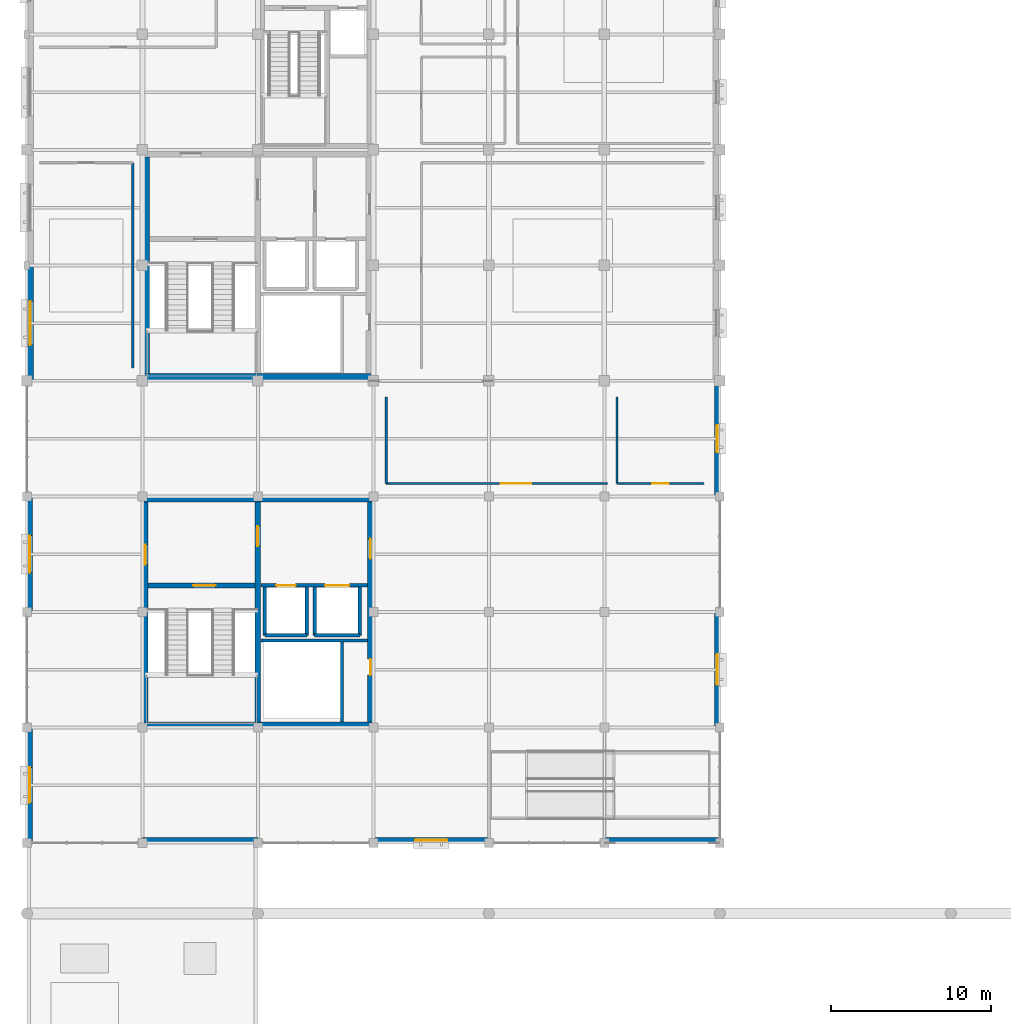
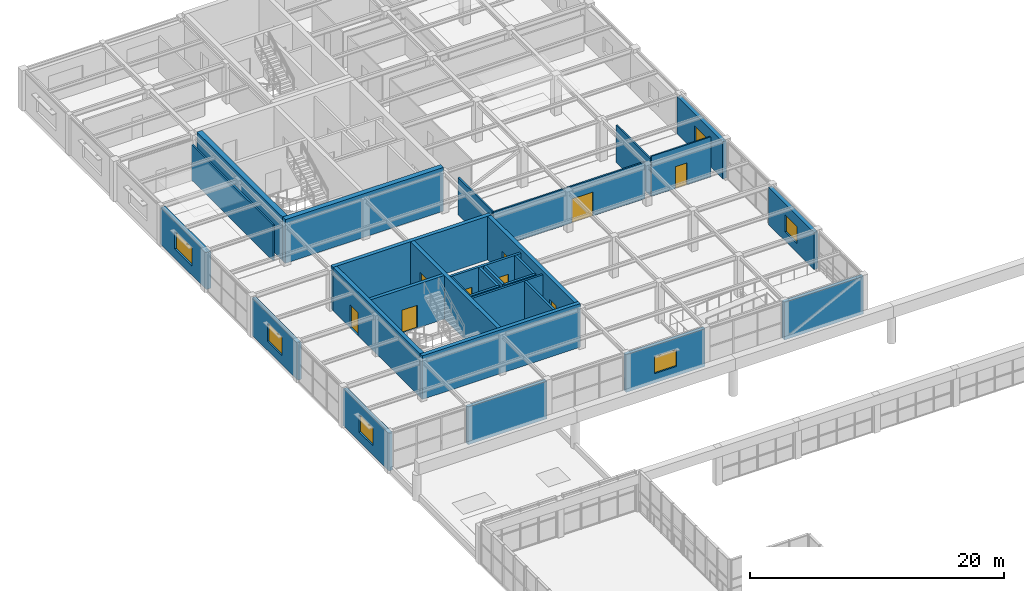
# One storey, part 65 of 83: 30 walls, 9 doors, 6 windows, 15 openings.
"""IFC4 building model written with IfcOpenShell, lengths in metres."""

from ifc_helpers import new_model, si_unit, direction, frame, frame_2d, origin, place, context, subcontext, project, spatial, rectangle, extrude, material, layer, layer_set, type_object, element, fill, save


model = new_model("IFC4")

# Units and contexts
model_context = context("Model", 3, precision=1e-05, world=origin(), true_north=direction((0.0, 1.0)))
body_context = subcontext(model_context, "Body", "Model", "MODEL_VIEW")
ifc_project = project(units=[si_unit("LENGTHUNIT", "METRE"), si_unit("AREAUNIT", "SQUARE_METRE"), si_unit("VOLUMEUNIT", "CUBIC_METRE"), si_unit("PLANEANGLEUNIT", "RADIAN"), si_unit("MASSUNIT", "GRAM", prefix="KILO")], contexts=[model_context])

# Site, building, storey
site_placement = place(None, origin())
site = spatial("IfcSite", under=ifc_project, at=site_placement, CompositionType="ELEMENT")
building_placement = place(site_placement, origin())
building = spatial("IfcBuilding", under=site, at=building_placement, Name="Leyfeld Transit Interchange", CompositionType="ELEMENT")
storey_placement = place(building_placement, frame((0.0, 0.0, 5.39990234375)))
storey = spatial("IfcBuildingStorey", under=building, at=storey_placement, Name="L01", CompositionType="ELEMENT", Elevation=5.39990234375)

# Wall, opening, window
ifc_material_1 = material(Name="Clinker brick masonry - Insulated", Category="masonry")
ifc_layer_1 = layer(ifc_material_1, 0.340087890625, Name="Clinker brick masonry - Insulated")
ifc_layer_set_1 = layer_set([ifc_layer_1], Name="Clinker brick masonry - Insulated")
wall_type_1 = type_object("IfcWallType", Name="WL-EXT-BRK-340", PredefinedType="SOLIDWALL", material=ifc_layer_set_1)
wall_1_placement = place(storey_placement, frame((43.030029296875, 93.60009765625, 0.0), z_axis=(0.0, 0.0, 1.0), x_axis=(0.0, -1.0, 0.0)))
wall_1 = element("IfcWall", 1, at=wall_1_placement, inside=storey, type_object=wall_type_1, Name="External Facade Wall EW-L01-055", PredefinedType="SOLIDWALL", context=body_context, shape_type="SweptSolid", body=[
    extrude(rectangle(XDim=7.2001953125, YDim=0.340087890625, at=frame_2d((3.60009765625, 0.0))), origin(), (0.0, 0.0, 1.0), 3.590087890625),
])
opening_1_placement = place(wall_1_placement, frame((2.75, 0.0, 0.89990234375)))
opening_1 = element("IfcOpeningElement", 2, at=opening_1_placement, cuts=wall_1, Name="Opening WM-04", PredefinedType="OPENING", context=body_context, shape_type="SweptSolid", body=[
    extrude(rectangle(XDim=1.699951171875, YDim=1.550048828125, at=frame_2d((0.85009765625, 0.77490234375))), frame((0.0, 0.179931640625, 0.0), z_axis=(0.0, -1.0, 0.0), x_axis=(1.0, 0.0, 0.0)), (0.0, 0.0, 1.0), 0.360107421875),
])
ifc_material_2 = material(Name="Triple low-E insulated glazing", Category="glass")
window_type_1 = type_object("IfcWindowType", Name="WIN-MOD-04", PartitioningType="SINGLE_PANEL", PredefinedType="WINDOW", material=ifc_material_2)
window_1_placement = place(opening_1_placement, origin())
window_1 = element("IfcWindow", 3, at=window_1_placement, inside=storey, type_object=window_type_1, Name="Facade Window L01 029", OverallHeight=1.550048828125, OverallWidth=1.699951171875, PartitioningType="SINGLE_PANEL", PredefinedType="WINDOW", context=body_context, shape_type="SweptSolid", body=[
    extrude(rectangle(XDim=1.699951171875, YDim=1.550048828125, at=frame_2d((0.85009765625, 0.77490234375))), frame((0.0, 0.030029296875, 0.0), z_axis=(0.0, -1.0, 0.0), x_axis=(1.0, 0.0, 0.0)), (0.0, 0.0, 1.0), 0.06005859375),
])
fill(opening_1, window_1)

wall_2_placement = place(storey_placement, frame((43.030029296875, 79.199951171875, 0.0), z_axis=(0.0, 0.0, 1.0), x_axis=(0.0, -1.0, 0.0)))
wall_2 = element("IfcWall", 4, at=wall_2_placement, inside=storey, type_object=wall_type_1, Name="External Facade Wall EW-L01-056", PredefinedType="SOLIDWALL", context=body_context, shape_type="SweptSolid", body=[
    extrude(rectangle(XDim=7.199951171875, YDim=0.340087890625, at=frame_2d((3.60009765625, 0.0))), origin(), (0.0, 0.0, 1.0), 3.590087890625),
])
opening_2_placement = place(wall_2_placement, frame((2.64990234375, 0.0, 0.89990234375)))
opening_2 = element("IfcOpeningElement", 5, at=opening_2_placement, cuts=wall_2, Name="Opening WM-05", PredefinedType="OPENING", context=body_context, shape_type="SweptSolid", body=[
    extrude(rectangle(XDim=1.89990234375, YDim=1.60009765625, at=frame_2d((0.949951171875, 0.800048828125))), frame((0.0, 0.179931640625, 0.0), z_axis=(0.0, -1.0, 0.0), x_axis=(1.0, 0.0, 0.0)), (0.0, 0.0, 1.0), 0.360107421875),
])
window_type_2 = type_object("IfcWindowType", Name="WIN-MOD-05", PartitioningType="SINGLE_PANEL", PredefinedType="WINDOW", material=ifc_material_2)
window_2_placement = place(opening_2_placement, origin())
window_2 = element("IfcWindow", 6, at=window_2_placement, inside=storey, type_object=window_type_2, Name="Facade Window L01 030", OverallHeight=1.60009765625, OverallWidth=1.89990234375, PartitioningType="SINGLE_PANEL", PredefinedType="WINDOW", context=body_context, shape_type="SweptSolid", body=[
    extrude(rectangle(XDim=1.89990234375, YDim=1.60009765625, at=frame_2d((0.949951171875, 0.800048828125))), frame((0.0, 0.030029296875, 0.0), z_axis=(0.0, -1.0, 0.0), x_axis=(1.0, 0.0, 0.0)), (0.0, 0.0, 1.0), 0.06005859375),
])
fill(opening_2, window_2)

# Wall
wall_3_placement = place(storey_placement, frame((43.199951171875, 64.969970703125, 0.0), z_axis=(0.0, 0.0, 1.0), x_axis=(-1.0, 0.0, 0.0)))
element("IfcWall", 7, at=wall_3_placement, inside=storey, type_object=wall_type_1, Name="External Facade Wall EW-L01-057", PredefinedType="SOLIDWALL", context=body_context, shape_type="SweptSolid", body=[
    extrude(rectangle(XDim=7.199951171875, YDim=0.340087890625, at=frame_2d((3.60009765625, 0.0))), origin(), (0.0, 0.0, 1.0), 3.6201171875),
])

# Wall, opening, window
wall_4_placement = place(storey_placement, frame((28.800048828125, 64.969970703125, 0.0), z_axis=(0.0, 0.0, 1.0), x_axis=(-1.0, 0.0, 0.0)))
wall_4 = element("IfcWall", 8, at=wall_4_placement, inside=storey, type_object=wall_type_1, Name="External Facade Wall EW-L01-058", PredefinedType="SOLIDWALL", context=body_context, shape_type="SweptSolid", body=[
    extrude(rectangle(XDim=7.199951171875, YDim=0.340087890625, at=frame_2d((3.60009765625, 0.0))), origin(), (0.0, 0.0, 1.0), 3.6201171875),
])
opening_3_placement = place(wall_4_placement, frame((2.60009765625, 0.0, 0.89990234375)))
opening_3 = element("IfcOpeningElement", 9, at=opening_3_placement, cuts=wall_4, Name="Opening WM-06", PredefinedType="OPENING", context=body_context, shape_type="SweptSolid", body=[
    extrude(rectangle(XDim=2.0, YDim=1.64990234375, at=frame_2d((1.0, 0.824951171875))), frame((0.0, 0.179931640625, 0.0), z_axis=(0.0, -1.0, 0.0), x_axis=(1.0, 0.0, 0.0)), (0.0, 0.0, 1.0), 0.360107421875),
])
window_type_3 = type_object("IfcWindowType", Name="WIN-MOD-06", PartitioningType="SINGLE_PANEL", PredefinedType="WINDOW", material=ifc_material_2)
window_3_placement = place(opening_3_placement, origin())
window_3 = element("IfcWindow", 10, at=window_3_placement, inside=storey, type_object=window_type_3, Name="Facade Window L01 031", OverallHeight=1.64990234375, OverallWidth=2.0, PartitioningType="SINGLE_PANEL", PredefinedType="WINDOW", context=body_context, shape_type="SweptSolid", body=[
    extrude(rectangle(XDim=2.0, YDim=1.64990234375, at=frame_2d((1.0, 0.824951171875))), frame((0.0, 0.030029296875, 0.0), z_axis=(0.0, -1.0, 0.0), x_axis=(1.0, 0.0, 0.0)), (0.0, 0.0, 1.0), 0.06005859375),
])
fill(opening_3, window_3)

# Wall
wall_5_placement = place(storey_placement, frame((14.39990234375, 64.969970703125, 0.0), z_axis=(0.0, 0.0, 1.0), x_axis=(-1.0, 0.0, 0.0)))
element("IfcWall", 11, at=wall_5_placement, inside=storey, type_object=wall_type_1, Name="External Facade Wall EW-L01-059", PredefinedType="SOLIDWALL", context=body_context, shape_type="SweptSolid", body=[
    extrude(rectangle(XDim=7.199951171875, YDim=0.340087890625, at=frame_2d((3.60009765625, 0.0))), origin(), (0.0, 0.0, 1.0), 3.6201171875),
])

# Wall, opening, window
wall_6_placement = place(storey_placement, frame((0.169921875, 64.800048828125, 0.0), z_axis=(0.0, 0.0, 1.0), x_axis=(0.0, 1.0, 0.0)))
wall_6 = element("IfcWall", 12, at=wall_6_placement, inside=storey, type_object=wall_type_1, Name="External Facade Wall EW-L01-060", PredefinedType="SOLIDWALL", context=body_context, shape_type="SweptSolid", body=[
    extrude(rectangle(XDim=7.199951171875, YDim=0.340087890625, at=frame_2d((3.60009765625, 0.0))), origin(), (0.0, 0.0, 1.0), 3.590087890625),
])
opening_4_placement = place(wall_6_placement, frame((2.5, 0.0, 0.89990234375)))
opening_4 = element("IfcOpeningElement", 13, at=opening_4_placement, cuts=wall_6, Name="Opening WM-07", PredefinedType="OPENING", context=body_context, shape_type="SweptSolid", body=[
    extrude(rectangle(XDim=2.199951171875, YDim=1.699951171875, at=frame_2d((1.10009765625, 0.85009765625))), frame((0.0, 0.179931640625, 0.0), z_axis=(0.0, -1.0, 0.0), x_axis=(1.0, 0.0, 0.0)), (0.0, 0.0, 1.0), 0.360107421875),
])
window_type_4 = type_object("IfcWindowType", Name="WIN-MOD-07", PartitioningType="SINGLE_PANEL", PredefinedType="WINDOW", material=ifc_material_2)
window_4_placement = place(opening_4_placement, origin())
window_4 = element("IfcWindow", 14, at=window_4_placement, inside=storey, type_object=window_type_4, Name="Facade Window L01 032", OverallHeight=1.699951171875, OverallWidth=2.199951171875, PartitioningType="SINGLE_PANEL", PredefinedType="WINDOW", context=body_context, shape_type="SweptSolid", body=[
    extrude(rectangle(XDim=2.199951171875, YDim=1.699951171875, at=frame_2d((1.10009765625, 0.85009765625))), frame((0.0, 0.030029296875, 0.0), z_axis=(0.0, -1.0, 0.0), x_axis=(1.0, 0.0, 0.0)), (0.0, 0.0, 1.0), 0.06005859375),
])
fill(opening_4, window_4)

wall_7_placement = place(storey_placement, frame((0.169921875, 79.199951171875, 0.0), z_axis=(0.0, 0.0, 1.0), x_axis=(0.0, 1.0, 0.0)))
wall_7 = element("IfcWall", 15, at=wall_7_placement, inside=storey, type_object=wall_type_1, Name="External Facade Wall EW-L01-061", PredefinedType="SOLIDWALL", context=body_context, shape_type="SweptSolid", body=[
    extrude(rectangle(XDim=7.199951171875, YDim=0.340087890625, at=frame_2d((3.60009765625, 0.0))), origin(), (0.0, 0.0, 1.0), 3.590087890625),
])
opening_5_placement = place(wall_7_placement, frame((2.449951171875, 0.0, 0.89990234375)))
opening_5 = element("IfcOpeningElement", 16, at=opening_5_placement, cuts=wall_7, Name="Opening WM-08", PredefinedType="OPENING", context=body_context, shape_type="SweptSolid", body=[
    extrude(rectangle(XDim=2.300048828125, YDim=1.75, at=frame_2d((1.14990234375, 0.875))), frame((0.0, 0.179931640625, 0.0), z_axis=(0.0, -1.0, 0.0), x_axis=(1.0, 0.0, 0.0)), (0.0, 0.0, 1.0), 0.360107421875),
])
window_type_5 = type_object("IfcWindowType", Name="WIN-MOD-08", PartitioningType="SINGLE_PANEL", PredefinedType="WINDOW", material=ifc_material_2)
window_5_placement = place(opening_5_placement, origin())
window_5 = element("IfcWindow", 17, at=window_5_placement, inside=storey, type_object=window_type_5, Name="Facade Window L01 033", OverallHeight=1.75, OverallWidth=2.300048828125, PartitioningType="SINGLE_PANEL", PredefinedType="WINDOW", context=body_context, shape_type="SweptSolid", body=[
    extrude(rectangle(XDim=2.300048828125, YDim=1.75, at=frame_2d((1.14990234375, 0.875))), frame((0.0, 0.030029296875, 0.0), z_axis=(0.0, -1.0, 0.0), x_axis=(1.0, 0.0, 0.0)), (0.0, 0.0, 1.0), 0.06005859375),
])
fill(opening_5, window_5)

ifc_layer_2 = layer(ifc_material_1, 0.419921875, Name="Clinker brick masonry - Insulated")
ifc_layer_set_2 = layer_set([ifc_layer_2], Name="Clinker brick masonry - Insulated")
wall_type_2 = type_object("IfcWallType", Name="WL-EXT-BRK-420", PredefinedType="SOLIDWALL", material=ifc_layer_set_2)
wall_8_placement = place(storey_placement, frame((0.2099609375, 93.60009765625, 0.0), z_axis=(0.0, 0.0, 1.0), x_axis=(0.0, 1.0, 0.0)))
wall_8 = element("IfcWall", 18, at=wall_8_placement, inside=storey, type_object=wall_type_2, Name="External Facade Wall EW-L01-042", PredefinedType="SOLIDWALL", context=body_context, shape_type="SweptSolid", body=[
    extrude(rectangle(XDim=7.199951171875, YDim=0.419921875, at=frame_2d((3.60009765625, 0.0))), origin(), (0.0, 0.0, 1.0), 3.550048828125),
])
opening_6_placement = place(wall_8_placement, frame((2.22509765625, 0.0, 0.89990234375)))
opening_6 = element("IfcOpeningElement", 19, at=opening_6_placement, cuts=wall_8, Name="Opening WU-16", PredefinedType="OPENING", context=body_context, shape_type="SweptSolid", body=[
    extrude(rectangle(XDim=2.75, YDim=1.75, at=frame_2d((1.375, 0.875))), frame((0.0, 0.219970703125, 0.0), z_axis=(0.0, -1.0, 0.0), x_axis=(1.0, 0.0, 0.0)), (0.0, 0.0, 1.0), 0.43994140625),
])
window_type_6 = type_object("IfcWindowType", Name="WIN-UNQ-16", PartitioningType="SINGLE_PANEL", PredefinedType="WINDOW", material=ifc_material_2)
window_6_placement = place(opening_6_placement, origin())
window_6 = element("IfcWindow", 20, at=window_6_placement, inside=storey, type_object=window_type_6, Name="Facade Window L01 016", OverallHeight=1.75, OverallWidth=2.75, PartitioningType="SINGLE_PANEL", PredefinedType="WINDOW", context=body_context, shape_type="SweptSolid", body=[
    extrude(rectangle(XDim=2.75, YDim=1.75, at=frame_2d((1.375, 0.875))), frame((0.0, 0.030029296875, 0.0), z_axis=(0.0, -1.0, 0.0), x_axis=(1.0, 0.0, 0.0)), (0.0, 0.0, 1.0), 0.06005859375),
])
fill(opening_6, window_6)

# Walls
ifc_material_3 = material(Name="Calcium silicate masonry", Category="masonry")
ifc_layer_3 = layer(ifc_material_3, 0.18994140625, Name="Calcium silicate masonry")
ifc_layer_set_3 = layer_set([ifc_layer_3], Name="Calcium silicate masonry")
wall_type_3 = type_object("IfcWallType", Name="WL-INT-PLT-190", PredefinedType="PARTITIONING", material=ifc_layer_set_3)
wall_9_placement = place(storey_placement, frame((14.580078125, 77.419921875, 0.0), z_axis=(0.0, 0.0, 1.0), x_axis=(1.0, 0.0, 0.0)))
element("IfcWall", 21, at=wall_9_placement, inside=storey, type_object=wall_type_3, Name="Core K3 Riser Compartment Wall L01", PredefinedType="PARTITIONING", context=body_context, shape_type="SweptSolid", body=[
    extrude(rectangle(XDim=6.669921875, YDim=0.18994140625, at=frame_2d((3.3349609375, 0.0))), origin(), (0.0, 0.0, 1.0), 3.85009765625),
])
wall_10_placement = place(storey_placement, frame((19.64990234375, 72.35009765625, 0.0), z_axis=(0.0, 0.0, 1.0), x_axis=(0.0, 1.0, 0.0)))
element("IfcWall", 22, at=wall_10_placement, inside=storey, type_object=wall_type_3, Name="Core K3 Riser Shaft East Wall L01", PredefinedType="PARTITIONING", context=body_context, shape_type="SweptSolid", body=[
    extrude(rectangle(XDim=4.97998046875, YDim=0.18994140625, at=frame_2d((2.489990234375, 0.0))), origin(), (0.0, 0.0, 1.0), 3.85009765625),
])

# Wall, openings, doors
ifc_material_4 = material(Name="Concrete C35/45", Category="concrete")
ifc_layer_4 = layer(ifc_material_4, 0.219970703125, Name="Concrete C35/45")
ifc_layer_set_4 = layer_set([ifc_layer_4], Name="Concrete C35/45")
wall_type_4 = type_object("IfcWallType", Name="WL-INT-SHF-220", PredefinedType="PARTITIONING", material=ifc_layer_set_4)
wall_11_placement = place(storey_placement, frame((14.580078125, 80.85009765625, 0.0), z_axis=(0.0, 0.0, 1.0), x_axis=(1.0, 0.0, 0.0)))
wall_11 = element("IfcWall", 23, at=wall_11_placement, inside=storey, type_object=wall_type_4, Name="Core K3 Lift Shaft Front Wall L01", PredefinedType="PARTITIONING", context=body_context, shape_type="SweptSolid", body=[
    extrude(rectangle(XDim=6.669921875, YDim=0.219970703125, at=frame_2d((3.3349609375, 0.0))), origin(), (0.0, 0.0, 1.0), 3.85009765625),
])
opening_7_placement = place(wall_11_placement, frame((0.969970703125, 0.0, 0.0)))
opening_7 = element("IfcOpeningElement", 24, at=opening_7_placement, cuts=wall_11, Name="Opening LD-02", PredefinedType="OPENING", context=body_context, shape_type="SweptSolid", body=[
    extrude(rectangle(XDim=1.199951171875, YDim=2.14990234375, at=frame_2d((0.60009765625, 1.074951171875))), frame((0.0, 0.119873046875, 0.0), z_axis=(0.0, -1.0, 0.0), x_axis=(1.0, 0.0, 0.0)), (0.0, 0.0, 1.0), 0.239990234375),
])
opening_8_placement = place(wall_11_placement, frame((4.02001953125, 0.0, 0.0)))
opening_8 = element("IfcOpeningElement", 25, at=opening_8_placement, cuts=wall_11, Name="Opening LD-03", PredefinedType="OPENING", context=body_context, shape_type="SweptSolid", body=[
    extrude(rectangle(XDim=1.5, YDim=2.25, at=frame_2d((0.75, 1.125))), frame((0.0, 0.119873046875, 0.0), z_axis=(0.0, -1.0, 0.0), x_axis=(1.0, 0.0, 0.0)), (0.0, 0.0, 1.0), 0.239990234375),
])
ifc_material_5 = material(Name="Stainless steel EN 1.4404", Category="steel")
door_type_1 = type_object("IfcDoorType", Name="DR-LD-GDS-1500x2250", OperationType="NOTDEFINED", PredefinedType="DOOR", material=ifc_material_5)
door_1_placement = place(opening_8_placement, origin())
door_1 = element("IfcDoor", 26, at=door_1_placement, inside=storey, type_object=door_type_1, Name="LD-GL-1-L01", OperationType="DOUBLE_DOOR_SLIDING", OverallHeight=2.25, OverallWidth=1.5, PredefinedType="DOOR", context=body_context, shape_type="SweptSolid", body=[
    extrude(rectangle(XDim=1.5, YDim=2.25, at=frame_2d((0.75, 1.125))), frame((0.0, 0.02490234375, 0.0), z_axis=(0.0, -1.0, 0.0), x_axis=(1.0, 0.0, 0.0)), (0.0, 0.0, 1.0), 0.050048828125),
])
fill(opening_8, door_1)
door_type_2 = type_object("IfcDoorType", Name="DR-LD-PAS-1200x2150", OperationType="NOTDEFINED", PredefinedType="DOOR", material=ifc_material_5)
door_2_placement = place(opening_7_placement, origin())
door_2 = element("IfcDoor", 27, at=door_2_placement, inside=storey, type_object=door_type_2, Name="LD-PL-3-L01", OperationType="DOUBLE_DOOR_SLIDING", OverallHeight=2.14990234375, OverallWidth=1.199951171875, PredefinedType="DOOR", context=body_context, shape_type="SweptSolid", body=[
    extrude(rectangle(XDim=1.199951171875, YDim=2.14990234375, at=frame_2d((0.60009765625, 1.074951171875))), frame((0.0, 0.02490234375, 0.0), z_axis=(0.0, -1.0, 0.0), x_axis=(1.0, 0.0, 0.0)), (0.0, 0.0, 1.0), 0.050048828125),
])
fill(opening_7, door_2)

# Walls
wall_12_placement = place(storey_placement, frame((14.840087890625, 77.739990234375, 0.0), z_axis=(0.0, 0.0, 1.0), x_axis=(1.0, 0.0, 0.0)))
element("IfcWall", 28, at=wall_12_placement, inside=storey, type_object=wall_type_4, Name="Core K3 Lift PL-3 Shaft Back Wall L01", PredefinedType="PARTITIONING", context=body_context, shape_type="SweptSolid", body=[
    extrude(rectangle(XDim=2.619873046875, YDim=0.219970703125, at=frame_2d((1.31005859375, 0.0))), origin(), (0.0, 0.0, 1.0), 3.85009765625),
])
for number, where, z_axis, x_axis, name in (
    (29, (14.840087890625, 77.739990234375, 0.0), (0.0, 0.0, 1.0), (0.0, 1.0, 0.0), "Core K3 Lift PL-3 Shaft Wall W L01"),
    (30, (17.4599609375, 77.739990234375, 0.0), (0.0, 0.0, 1.0), (0.0, 1.0, 0.0), "Core K3 Lift PL-3 Shaft Wall E L01"),
):
    element("IfcWall", number, at=place(storey_placement, frame(where, z_axis=z_axis, x_axis=x_axis)), inside=storey, type_object=wall_type_4, Name=name, PredefinedType="PARTITIONING", context=body_context, shape_type="SweptSolid", body=[
        extrude(rectangle(XDim=3.0, YDim=0.219970703125, at=frame_2d((1.5, 0.0))), origin(), (0.0, 0.0, 1.0), 3.85009765625),
    ])
wall_13_placement = place(storey_placement, frame((17.93994140625, 77.739990234375, 0.0), z_axis=(0.0, 0.0, 1.0), x_axis=(1.0, 0.0, 0.0)))
element("IfcWall", 31, at=wall_13_placement, inside=storey, type_object=wall_type_4, Name="Core K3 Lift GL-1 Shaft Back Wall L01", PredefinedType="PARTITIONING", context=body_context, shape_type="SweptSolid", body=[
    extrude(rectangle(XDim=2.820068359375, YDim=0.219970703125, at=frame_2d((1.41015625, 0.0))), origin(), (0.0, 0.0, 1.0), 3.85009765625),
])
for number, where, z_axis, x_axis, name in (
    (32, (17.93994140625, 77.739990234375, 0.0), (0.0, 0.0, 1.0), (0.0, 1.0, 0.0), "Core K3 Lift GL-1 Shaft Wall W L01"),
    (33, (20.760009765625, 77.739990234375, 0.0), (0.0, 0.0, 1.0), (0.0, 1.0, 0.0), "Core K3 Lift GL-1 Shaft Wall E L01"),
):
    element("IfcWall", number, at=place(storey_placement, frame(where, z_axis=z_axis, x_axis=x_axis)), inside=storey, type_object=wall_type_4, Name=name, PredefinedType="PARTITIONING", context=body_context, shape_type="SweptSolid", body=[
        extrude(rectangle(XDim=3.0, YDim=0.219970703125, at=frame_2d((1.5, 0.0))), origin(), (0.0, 0.0, 1.0), 3.85009765625),
    ])

# Wall, opening, door
ifc_material_6 = material(Name="Gypsum plasterboard acoustic stud", Category="gypsum")
ifc_layer_5 = layer(ifc_material_6, 0.14501953125, Name="Gypsum plasterboard acoustic stud")
ifc_layer_set_5 = layer_set([ifc_layer_5], Name="Gypsum plasterboard acoustic stud")
wall_type_5 = type_object("IfcWallType", Name="WL-INT-STD-145", PredefinedType="PARTITIONING", material=ifc_layer_set_5)
wall_14_placement = place(storey_placement, frame((36.199951171875, 87.199951171875, 0.0), z_axis=(0.0, 0.0, 1.0), x_axis=(-1.0, 0.0, 0.0)))
wall_14 = element("IfcWall", 34, at=wall_14_placement, inside=storey, type_object=wall_type_5, Name="Interior Partition L01-LCK-01 S", PredefinedType="PARTITIONING", context=body_context, shape_type="SweptSolid", body=[
    extrude(rectangle(XDim=13.800048828125, YDim=0.14501953125, at=frame_2d((6.89990234375, 0.0))), origin(), (0.0, 0.0, 1.0), 3.52001953125),
])
opening_9_placement = place(wall_14_placement, frame((4.75, 0.0, 0.0)))
opening_9 = element("IfcOpeningElement", 35, at=opening_9_placement, cuts=wall_14, Name="Opening DV-09", PredefinedType="OPENING", context=body_context, shape_type="SweptSolid", body=[
    extrude(rectangle(XDim=1.89990234375, YDim=2.300048828125, at=frame_2d((0.949951171875, 1.14990234375))), frame((0.0, 0.08251953125, 0.0), z_axis=(0.0, -1.0, 0.0), x_axis=(1.0, 0.0, 0.0)), (0.0, 0.0, 1.0), 0.1650390625),
])
ifc_material_7 = material(Name="Austrian larch glulam GL28h", Category="wood")
door_type_3 = type_object("IfcDoorType", Name="DR-VAR-09", OperationType="NOTDEFINED", PredefinedType="DOOR", material=ifc_material_7)
door_3_placement = place(opening_9_placement, origin())
door_3 = element("IfcDoor", 36, at=door_3_placement, inside=storey, type_object=door_type_3, Name="DR-L01-LCK-01", OperationType="DOUBLE_DOOR_SINGLE_SWING", OverallHeight=2.300048828125, OverallWidth=1.89990234375, PredefinedType="DOOR", context=body_context, shape_type="SweptSolid", body=[
    extrude(rectangle(XDim=1.89990234375, YDim=2.300048828125, at=frame_2d((0.949951171875, 1.14990234375))), frame((0.0, 0.02490234375, 0.0), z_axis=(0.0, -1.0, 0.0), x_axis=(1.0, 0.0, 0.0)), (0.0, 0.0, 1.0), 0.050048828125),
])
fill(opening_9, door_3)

# Walls
wall_15_placement = place(storey_placement, frame((22.39990234375, 87.199951171875, 0.0), z_axis=(0.0, 0.0, 1.0), x_axis=(0.0, 1.0, 0.0)))
element("IfcWall", 37, at=wall_15_placement, inside=storey, type_object=wall_type_5, Name="Interior Partition L01-LCK-01 W", PredefinedType="PARTITIONING", context=body_context, shape_type="SweptSolid", body=[
    extrude(rectangle(XDim=5.400146484375, YDim=0.14501953125, at=frame_2d((2.7001953125, 0.0))), origin(), (0.0, 0.0, 1.0), 3.590087890625),
])
wall_16_placement = place(storey_placement, frame((6.60009765625, 107.199951171875, 0.0), z_axis=(0.0, 0.0, 1.0), x_axis=(0.0, -1.0, 0.0)))
element("IfcWall", 38, at=wall_16_placement, inside=storey, type_object=wall_type_5, Name="Interior Partition L01-RST-01 E", PredefinedType="PARTITIONING", context=body_context, shape_type="SweptSolid", body=[
    extrude(rectangle(XDim=12.800048828125, YDim=0.14501953125, at=frame_2d((6.39990234375, 0.0))), origin(), (0.0, 0.0, 1.0), 3.43017578125),
])

# Wall, opening, door
ifc_material_8 = material(Name="Autoclaved aerated blockwork G4", Category="masonry")
ifc_layer_6 = layer(ifc_material_8, 0.125, Name="Autoclaved aerated blockwork G4")
ifc_layer_set_6 = layer_set([ifc_layer_6], Name="Autoclaved aerated blockwork G4")
wall_type_6 = type_object("IfcWallType", Name="WL-INT-WC-125", PredefinedType="PARTITIONING", material=ifc_layer_set_6)
wall_17_placement = place(storey_placement, frame((42.199951171875, 87.199951171875, 0.0), z_axis=(0.0, 0.0, 1.0), x_axis=(-1.0, 0.0, 0.0)))
wall_17 = element("IfcWall", 39, at=wall_17_placement, inside=storey, type_object=wall_type_6, Name="Interior Partition L01-WCA-01 S", PredefinedType="PARTITIONING", context=body_context, shape_type="SweptSolid", body=[
    extrude(rectangle(XDim=5.39990234375, YDim=0.125, at=frame_2d((2.699951171875, 0.0))), origin(), (0.0, 0.0, 1.0), 3.85009765625),
])
opening_10_placement = place(wall_17_placement, frame((2.175048828125, 0.0, 0.0)))
opening_10 = element("IfcOpeningElement", 40, at=opening_10_placement, cuts=wall_17, Name="Opening DI-09", PredefinedType="OPENING", context=body_context, shape_type="SweptSolid", body=[
    extrude(rectangle(XDim=1.050048828125, YDim=2.10009765625, at=frame_2d((0.52490234375, 1.050048828125))), frame((0.0, 0.072509765625, 0.0), z_axis=(0.0, -1.0, 0.0), x_axis=(1.0, 0.0, 0.0)), (0.0, 0.0, 1.0), 0.14501953125),
])
door_type_4 = type_object("IfcDoorType", Name="DR-WCA-1050x2100", OperationType="NOTDEFINED", PredefinedType="DOOR", material=ifc_material_7)
door_4_placement = place(opening_10_placement, origin())
door_4 = element("IfcDoor", 41, at=door_4_placement, inside=storey, type_object=door_type_4, Name="DR-L01-WCA-01", OperationType="SINGLE_SWING_LEFT", OverallHeight=2.10009765625, OverallWidth=1.050048828125, PredefinedType="DOOR", context=body_context, shape_type="SweptSolid", body=[
    extrude(rectangle(XDim=1.050048828125, YDim=2.10009765625, at=frame_2d((0.52490234375, 1.050048828125))), frame((0.0, 0.02490234375, 0.0), z_axis=(0.0, -1.0, 0.0), x_axis=(1.0, 0.0, 0.0)), (0.0, 0.0, 1.0), 0.050048828125),
])
fill(opening_10, door_4)

# Wall
wall_18_placement = place(storey_placement, frame((36.800048828125, 87.199951171875, 0.0), z_axis=(0.0, 0.0, 1.0), x_axis=(0.0, 1.0, 0.0)))
element("IfcWall", 42, at=wall_18_placement, inside=storey, type_object=wall_type_6, Name="Interior Partition L01-WCA-01 W", PredefinedType="PARTITIONING", context=body_context, shape_type="SweptSolid", body=[
    extrude(rectangle(XDim=5.400146484375, YDim=0.125, at=frame_2d((2.7001953125, 0.0))), origin(), (0.0, 0.0, 1.0), 3.590087890625),
])

# Wall, opening, door
ifc_layer_7 = layer(ifc_material_4, 0.300048828125, Name="Concrete C35/45")
ifc_layer_set_7 = layer_set([ifc_layer_7], Name="Concrete C35/45")
wall_type_7 = type_object("IfcWallType", Name="WL-SH-300", PredefinedType="SHEAR", material=ifc_layer_set_7)
wall_19_placement = place(storey_placement, frame((7.550048828125, 80.85009765625, 0.0), z_axis=(0.0, 0.0, 1.0), x_axis=(1.0, 0.0, 0.0)))
wall_19 = element("IfcWall", 43, at=wall_19_placement, inside=storey, type_object=wall_type_7, Name="Core K3 Shear Wall STRN L01", PredefinedType="SHEAR", context=body_context, shape_type="SweptSolid", body=[
    extrude(rectangle(XDim=6.675048828125, YDim=0.300048828125, at=frame_2d((3.33740234375, 0.0))), origin(), (0.0, 0.0, 1.0), 4.2001953125),
])
opening_11_placement = place(wall_19_placement, frame((2.8125, 0.0, 0.0)))
opening_11 = element("IfcOpeningElement", 44, at=opening_11_placement, cuts=wall_19, Name="Opening DI-01", PredefinedType="OPENING", context=body_context, shape_type="SweptSolid", body=[
    extrude(rectangle(XDim=1.39990234375, YDim=2.199951171875, at=frame_2d((0.699951171875, 1.10009765625))), frame((0.0, 0.159912109375, 0.0), z_axis=(0.0, -1.0, 0.0), x_axis=(1.0, 0.0, 0.0)), (0.0, 0.0, 1.0), 0.320068359375),
])
ifc_material_9 = material(Name="Galvanised steel S275JR", Category="steel")
door_type_5 = type_object("IfcDoorType", Name="DR-STR-1400x2200", OperationType="NOTDEFINED", PredefinedType="DOOR", material=ifc_material_9)
door_5_placement = place(opening_11_placement, origin())
door_5 = element("IfcDoor", 45, at=door_5_placement, inside=storey, type_object=door_type_5, Name="DR-STR-INT-K3-L01", OperationType="SINGLE_SWING_LEFT", OverallHeight=2.199951171875, OverallWidth=1.39990234375, PredefinedType="DOOR", context=body_context, shape_type="SweptSolid", body=[
    extrude(rectangle(XDim=1.39990234375, YDim=2.199951171875, at=frame_2d((0.699951171875, 1.10009765625))), frame((0.0, 0.02490234375, 0.0), z_axis=(0.0, -1.0, 0.0), x_axis=(1.0, 0.0, 0.0)), (0.0, 0.0, 1.0), 0.050048828125),
])
fill(opening_11, door_5)

# Wall
ifc_layer_8 = layer(ifc_material_4, 0.35009765625, Name="Concrete C35/45")
ifc_layer_set_8 = layer_set([ifc_layer_8], Name="Concrete C35/45")
wall_type_8 = type_object("IfcWallType", Name="WL-SH-350", PredefinedType="SHEAR", material=ifc_layer_set_8)
wall_20_placement = place(storey_placement, frame((7.199951171875, 86.22509765625, 0.0), z_axis=(0.0, 0.0, 1.0), x_axis=(1.0, 0.0, 0.0)))
element("IfcWall", 46, at=wall_20_placement, inside=storey, type_object=wall_type_8, Name="Core K3 Shear Wall N L01", PredefinedType="SHEAR", context=body_context, shape_type="SweptSolid", body=[
    extrude(rectangle(XDim=14.400146484375, YDim=0.35009765625, at=frame_2d((7.2001953125, 0.0))), origin(), (0.0, 0.0, 1.0), 4.2001953125),
])

# Wall, openings, doors
wall_21_placement = place(storey_placement, frame((21.425048828125, 86.050048828125, 0.0), z_axis=(0.0, 0.0, 1.0), x_axis=(0.0, -1.0, 0.0)))
wall_21 = element("IfcWall", 47, at=wall_21_placement, inside=storey, type_object=wall_type_8, Name="Core K3 Shear Wall E L01", PredefinedType="SHEAR", context=body_context, shape_type="SweptSolid", body=[
    extrude(rectangle(XDim=13.699951171875, YDim=0.35009765625, at=frame_2d((6.85009765625, 0.0))), origin(), (0.0, 0.0, 1.0), 4.2001953125),
])
opening_12_placement = place(wall_21_placement, frame((9.800048828125, 0.0, 0.0)))
opening_12 = element("IfcOpeningElement", 48, at=opening_12_placement, cuts=wall_21, Name="Opening DI-05", PredefinedType="OPENING", context=body_context, shape_type="SweptSolid", body=[
    extrude(rectangle(XDim=1.0, YDim=2.14990234375, at=frame_2d((0.5, 1.074951171875))), frame((0.0, 0.18505859375, 0.0), z_axis=(0.0, -1.0, 0.0), x_axis=(1.0, 0.0, 0.0)), (0.0, 0.0, 1.0), 0.3701171875),
])
opening_13_placement = place(wall_21_placement, frame((2.300048828125, 0.0, 0.0)))
opening_13 = element("IfcOpeningElement", 49, at=opening_13_placement, cuts=wall_21, Name="Opening DI-02", PredefinedType="OPENING", context=body_context, shape_type="SweptSolid", body=[
    extrude(rectangle(XDim=1.25, YDim=2.199951171875, at=frame_2d((0.625, 1.10009765625))), frame((0.0, 0.18505859375, 0.0), z_axis=(0.0, -1.0, 0.0), x_axis=(1.0, 0.0, 0.0)), (0.0, 0.0, 1.0), 0.3701171875),
])
door_type_6 = type_object("IfcDoorType", Name="DR-FFL-1250x2200", OperationType="NOTDEFINED", PredefinedType="DOOR", material=ifc_material_9)
door_6_placement = place(opening_13_placement, origin())
door_6 = element("IfcDoor", 50, at=door_6_placement, inside=storey, type_object=door_type_6, Name="DR-CORE-OUT-K3-L01-E", OperationType="SINGLE_SWING_LEFT", OverallHeight=2.199951171875, OverallWidth=1.25, PredefinedType="DOOR", context=body_context, shape_type="SweptSolid", body=[
    extrude(rectangle(XDim=1.25, YDim=2.199951171875, at=frame_2d((0.625, 1.10009765625))), frame((0.0, 0.02490234375, 0.0), z_axis=(0.0, -1.0, 0.0), x_axis=(1.0, 0.0, 0.0)), (0.0, 0.0, 1.0), 0.050048828125),
])
fill(opening_13, door_6)
door_type_7 = type_object("IfcDoorType", Name="DR-OFF-1000x2150", OperationType="NOTDEFINED", PredefinedType="DOOR", material=ifc_material_7)
door_7_placement = place(opening_12_placement, origin())
door_7 = element("IfcDoor", 51, at=door_7_placement, inside=storey, type_object=door_type_7, Name="DR-RSR-K3-L01", OperationType="SINGLE_SWING_LEFT", OverallHeight=2.14990234375, OverallWidth=1.0, PredefinedType="DOOR", context=body_context, shape_type="SweptSolid", body=[
    extrude(rectangle(XDim=1.0, YDim=2.14990234375, at=frame_2d((0.5, 1.074951171875))), frame((0.0, 0.02490234375, 0.0), z_axis=(0.0, -1.0, 0.0), x_axis=(1.0, 0.0, 0.0)), (0.0, 0.0, 1.0), 0.050048828125),
])
fill(opening_12, door_7)

# Wall
wall_22_placement = place(storey_placement, frame((21.60009765625, 72.175048828125, 0.0), z_axis=(0.0, 0.0, 1.0), x_axis=(-1.0, 0.0, 0.0)))
element("IfcWall", 52, at=wall_22_placement, inside=storey, type_object=wall_type_8, Name="Core K3 Shear Wall S L01", PredefinedType="SHEAR", context=body_context, shape_type="SweptSolid", body=[
    extrude(rectangle(XDim=14.400146484375, YDim=0.35009765625, at=frame_2d((7.2001953125, 0.0))), origin(), (0.0, 0.0, 1.0), 4.2001953125),
])

# Wall, opening, door
wall_23_placement = place(storey_placement, frame((7.375, 72.35009765625, 0.0), z_axis=(0.0, 0.0, 1.0), x_axis=(0.0, 1.0, 0.0)))
wall_23 = element("IfcWall", 53, at=wall_23_placement, inside=storey, type_object=wall_type_8, Name="Core K3 Shear Wall W L01", PredefinedType="SHEAR", context=body_context, shape_type="SweptSolid", body=[
    extrude(rectangle(XDim=13.699951171875, YDim=0.35009765625, at=frame_2d((6.85009765625, 0.0))), origin(), (0.0, 0.0, 1.0), 4.2001953125),
])
opening_14_placement = place(wall_23_placement, frame((9.800048828125, 0.0, 0.0)))
opening_14 = element("IfcOpeningElement", 54, at=opening_14_placement, cuts=wall_23, Name="Opening DI-02", PredefinedType="OPENING", context=body_context, shape_type="SweptSolid", body=[
    extrude(rectangle(XDim=1.25, YDim=2.199951171875, at=frame_2d((0.625, 1.10009765625))), frame((0.0, 0.18505859375, 0.0), z_axis=(0.0, -1.0, 0.0), x_axis=(1.0, 0.0, 0.0)), (0.0, 0.0, 1.0), 0.3701171875),
])
door_8_placement = place(opening_14_placement, origin())
door_8 = element("IfcDoor", 55, at=door_8_placement, inside=storey, type_object=door_type_6, Name="DR-CORE-OUT-K3-L01-W", OperationType="SINGLE_SWING_RIGHT", OverallHeight=2.199951171875, OverallWidth=1.25, PredefinedType="DOOR", context=body_context, shape_type="SweptSolid", body=[
    extrude(rectangle(XDim=1.25, YDim=2.199951171875, at=frame_2d((0.625, 1.10009765625))), frame((0.0, 0.02490234375, 0.0), z_axis=(0.0, -1.0, 0.0), x_axis=(1.0, 0.0, 0.0)), (0.0, 0.0, 1.0), 0.050048828125),
])
fill(opening_14, door_8)

wall_24_placement = place(storey_placement, frame((14.39990234375, 86.050048828125, 0.0), z_axis=(0.0, 0.0, 1.0), x_axis=(0.0, -1.0, 0.0)))
wall_24 = element("IfcWall", 56, at=wall_24_placement, inside=storey, type_object=wall_type_8, Name="Core K3 Shear Wall MID L01", PredefinedType="SHEAR", context=body_context, shape_type="SweptSolid", body=[
    extrude(rectangle(XDim=13.699951171875, YDim=0.35009765625, at=frame_2d((6.85009765625, 0.0))), origin(), (0.0, 0.0, 1.0), 4.2001953125),
])
opening_15_placement = place(wall_24_placement, frame((1.5, 0.0, 0.0)))
opening_15 = element("IfcOpeningElement", 57, at=opening_15_placement, cuts=wall_24, Name="Opening DI-02", PredefinedType="OPENING", context=body_context, shape_type="SweptSolid", body=[
    extrude(rectangle(XDim=1.25, YDim=2.199951171875, at=frame_2d((0.625, 1.10009765625))), frame((0.0, 0.18505859375, 0.0), z_axis=(0.0, -1.0, 0.0), x_axis=(1.0, 0.0, 0.0)), (0.0, 0.0, 1.0), 0.3701171875),
])
door_9_placement = place(opening_15_placement, origin())
door_9 = element("IfcDoor", 58, at=door_9_placement, inside=storey, type_object=door_type_6, Name="DR-CORE-MID-K3-L01", OperationType="SINGLE_SWING_RIGHT", OverallHeight=2.199951171875, OverallWidth=1.25, PredefinedType="DOOR", context=body_context, shape_type="SweptSolid", body=[
    extrude(rectangle(XDim=1.25, YDim=2.199951171875, at=frame_2d((0.625, 1.10009765625))), frame((0.0, 0.02490234375, 0.0), z_axis=(0.0, -1.0, 0.0), x_axis=(1.0, 0.0, 0.0)), (0.0, 0.0, 1.0), 0.050048828125),
])
fill(opening_15, door_9)

# Walls
ifc_layer_9 = layer(ifc_material_4, 0.449951171875, Name="Concrete C35/45")
ifc_layer_set_9 = layer_set([ifc_layer_9], Name="Concrete C35/45")
wall_type_9 = type_object("IfcWallType", Name="WL-SH-450", PredefinedType="SHEAR", material=ifc_layer_set_9)
wall_25_placement = place(storey_placement, frame((21.60009765625, 93.824951171875, 0.0), z_axis=(0.0, 0.0, 1.0), x_axis=(-1.0, 0.0, 0.0)))
element("IfcWall", 59, at=wall_25_placement, inside=storey, type_object=wall_type_9, Name="Core K1 Shear Wall S L01", PredefinedType="SHEAR", context=body_context, shape_type="SweptSolid", body=[
    extrude(rectangle(XDim=14.400146484375, YDim=0.449951171875, at=frame_2d((7.2001953125, 0.0))), origin(), (0.0, 0.0, 1.0), 4.2001953125),
])
wall_26_placement = place(storey_placement, frame((7.425048828125, 94.050048828125, 0.0), z_axis=(0.0, 0.0, 1.0), x_axis=(0.0, 1.0, 0.0)))
element("IfcWall", 60, at=wall_26_placement, inside=storey, type_object=wall_type_9, Name="Core K1 Shear Wall W L01", PredefinedType="SHEAR", context=body_context, shape_type="SweptSolid", body=[
    extrude(rectangle(XDim=13.5, YDim=0.449951171875, at=frame_2d((6.75, 0.0))), origin(), (0.0, 0.0, 1.0), 4.2001953125),
])

save(model, "model.ifc")
